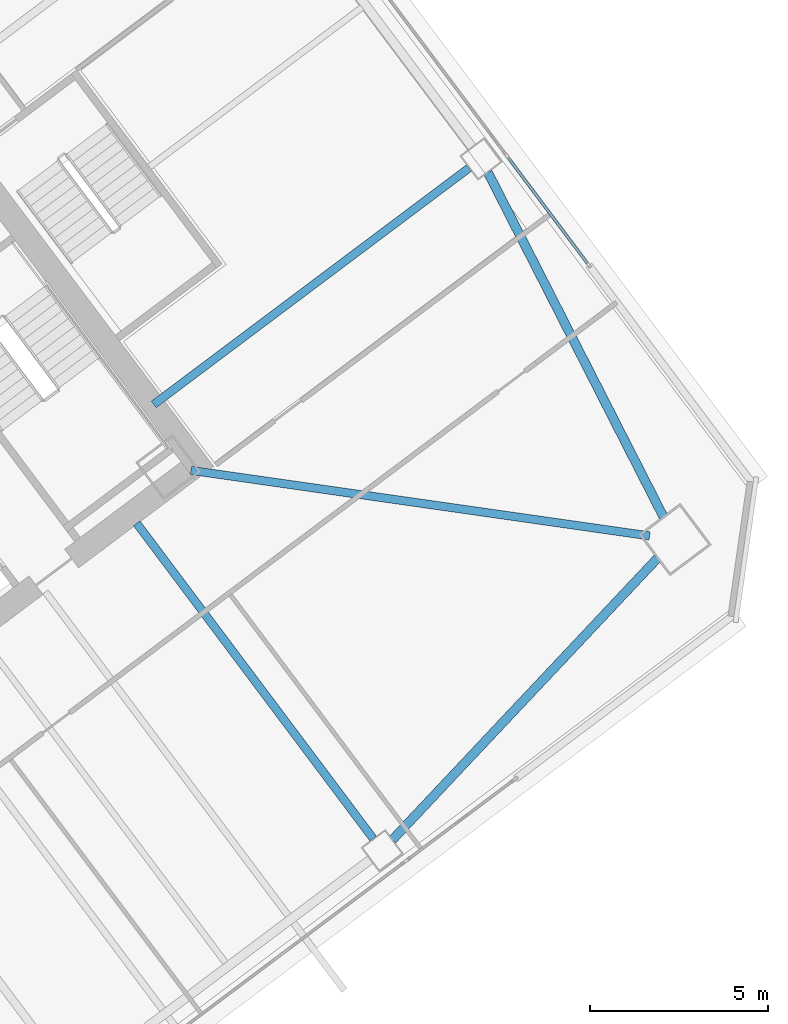
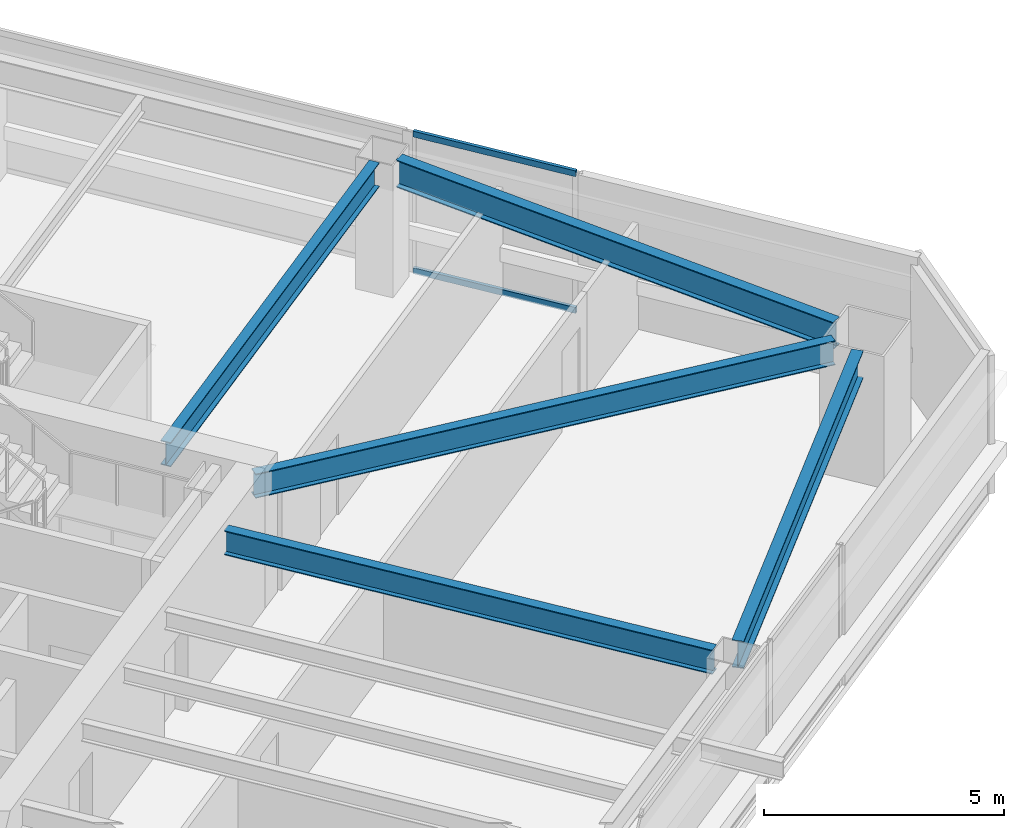
# One storey, part 25 of 44: 5 beams, 2 members, 1 element without a shape of its own.
"""IFC4 building model written with IfcOpenShell, lengths in metres."""

from ifc_helpers import new_model, si_unit, direction, frame, origin, origin_2d, place, context, subcontext, project, spatial, hollow_rectangle, i_section, extrude, material, material_profile, profile_set, type_object, element, aggregate, save


model = new_model("IFC4")

# Units and contexts
model_context = context("Model", 3, precision=1e-05, world=origin(), true_north=direction((0.0, 1.0)))
body_context = subcontext(model_context, "Body", "Model", "MODEL_VIEW")
ifc_project = project(units=[si_unit("LENGTHUNIT", "METRE"), si_unit("AREAUNIT", "SQUARE_METRE"), si_unit("VOLUMEUNIT", "CUBIC_METRE"), si_unit("PLANEANGLEUNIT", "RADIAN"), si_unit("MASSUNIT", "GRAM", prefix="KILO")], contexts=[model_context])

# Site, building, storey
site_placement = place(None, origin())
site = spatial("IfcSite", under=ifc_project, at=site_placement, CompositionType="ELEMENT")
building_placement = place(site_placement, origin())
building = spatial("IfcBuilding", under=site, at=building_placement, Name="Tashvorn Skyway Center", CompositionType="ELEMENT")
storey_placement = place(building_placement, frame((0.0, 0.0, 74.300048828125)))
storey = spatial("IfcBuildingStorey", under=building, at=storey_placement, Name="L19", CompositionType="ELEMENT", Elevation=74.300048828125)

# Beams
ifc_material_1 = material(Name="Steel ASTM A992 Grade 50", Category="steel")
ifc_material_profile_1 = material_profile(ifc_material_1, i_section(OverallWidth=0.22998046875, OverallDepth=0.616943359375, WebThickness=0.01318359375, FlangeThickness=0.022216796875, at=origin_2d()), Name="W24X94")
ifc_profile_set_1 = profile_set([ifc_material_profile_1], Name="Steel ASTM A992 Grade 50")
beam_type_1 = type_object("IfcBeamType", Name="BM-BEAM-W24X94", PredefinedType="BEAM", material=ifc_profile_set_1)
beam_1_placement = place(storey_placement, frame((137.3671875, 28.661865234375, 3.04150390625), z_axis=(-0.989949869571, 0.141418724841, 0.0), x_axis=(-0.141418724841, -0.989949869571, 0.0)))
element("IfcBeam", 1, at=beam_1_placement, inside=storey, type_object=beam_type_1, Name="Tower 2 L19 Primary Floor Girder MC-SE", PredefinedType="BEAM", context=body_context, shape_type="SweptSolid", body=[
    extrude(i_section(OverallWidth=0.22998046875, OverallDepth=0.616943359375, WebThickness=0.01318359375, FlangeThickness=0.022216796875, at=origin_2d()), origin(), (0.0, 0.0, 1.0), 12.9892578125),
])
for number, where, z_axis, x_axis, name in (
    (2, (129.617919921875, 20.176025390625, 3.04150390625), (-0.599989394744, 0.800007953832, 0.0), (-0.800007953832, -0.599989394744, 0.0), "Tower 2 L19 Primary Floor Girder FC-S2"),
    (3, (132.303955078125, 38.97802734375, 3.04150390625), (-0.799989394625, -0.60001414024, 0.0), (0.60001414024, -0.799989394625, 0.0), "Tower 2 L19 Primary Floor Girder FC-E1"),
):
    element("IfcBeam", number, at=place(storey_placement, frame(where, z_axis=z_axis, x_axis=x_axis)), inside=storey, type_object=beam_type_1, Name=name, PredefinedType="BEAM", context=body_context, shape_type="SweptSolid", body=[
        extrude(i_section(OverallWidth=0.22998046875, OverallDepth=0.616943359375, WebThickness=0.01318359375, FlangeThickness=0.022216796875, at=origin_2d()), origin(), (0.0, 0.0, 1.0), 11.050048828125),
    ])
ifc_material_profile_2 = material_profile(ifc_material_1, i_section(OverallWidth=0.256103515625, OverallDepth=0.693115234375, WebThickness=0.014404296875, FlangeThickness=0.023681640625, at=origin_2d()), Name="W27X114")
ifc_profile_set_2 = profile_set([ifc_material_profile_2], Name="Steel ASTM A992 Grade 50")
beam_type_2 = type_object("IfcBeamType", Name="BM-SPANDREL-W27X114", PredefinedType="SPANDREL", material=ifc_profile_set_2)
beam_2_placement = place(storey_placement, frame((130.157958984375, 20.145751953125, 3.00341796875), z_axis=(0.685484857238, 0.728086883893, 0.0), x_axis=(-0.728086883893, 0.685484857238, 0.0)))
element("IfcBeam", 4, at=beam_2_placement, inside=storey, type_object=beam_type_2, Name="Tower 2 L19 Spandrel Beam 03", PredefinedType="SPANDREL", context=body_context, shape_type="SweptSolid", body=[
    extrude(i_section(OverallWidth=0.256103515625, OverallDepth=0.693115234375, WebThickness=0.014404296875, FlangeThickness=0.023681640625, at=origin_2d()), origin(), (0.0, 0.0, 1.0), 10.8369140625),
])
beam_3_placement = place(storey_placement, frame((137.7529296875, 29.201416015625, 3.00341796875), z_axis=(-0.454210938961, 0.890894170442, 0.0), x_axis=(-0.890894170442, -0.454210938961, 0.0)))
element("IfcBeam", 5, at=beam_3_placement, inside=storey, type_object=beam_type_2, Name="Tower 2 L19 Spandrel Beam 04", PredefinedType="SPANDREL", context=body_context, shape_type="SweptSolid", body=[
    extrude(i_section(OverallWidth=0.256103515625, OverallDepth=0.693115234375, WebThickness=0.014404296875, FlangeThickness=0.023681640625, at=origin_2d()), origin(), (0.0, 0.0, 1.0), 10.836669921875),
])

# Curtain wall, members
ifc_material_2 = material(Name="Thermally broken bronze-anodized aluminium 6063-T6", Category="aluminium")
curtain_wall_type = type_object("IfcCurtainWallType", Name="CW-CW-Z2", PredefinedType="NOTDEFINED", material=ifc_material_2)
curtain_wall_placement = place(storey_placement, origin())
curtain_wall = element("IfcCurtainWall", 6, at=curtain_wall_placement, inside=storey, type_object=curtain_wall_type, Name="Tower 2 L19 East Unitised Curtain Wall Glazing Group 3", PredefinedType="NOTDEFINED")
ifc_material_profile_3 = material_profile(ifc_material_2, hollow_rectangle(XDim=0.080078125, YDim=0.14990234375, WallThickness=0.00439453125, at=origin_2d()), Name="ALU-TRAN-80x150")
ifc_profile_set_3 = profile_set([ifc_material_profile_3], Name="Thermally broken bronze-anodized aluminium 6063-T6")
member_type = type_object("IfcMemberType", Name="CWT-CW-Z2", PredefinedType="USERDEFINED", material=ifc_profile_set_3)
member_1_placement = place(storey_placement, frame((133.407958984375, 39.256103515625, 0.0400390625), z_axis=(0.599989385363, -0.800007960868, 0.0), x_axis=(0.800007960868, 0.599989385363, 0.0)))
member_1 = element("IfcMember", 7, at=member_1_placement, type_object=member_type, Name="CW-Z2 transom 1.1", ObjectType="TRANSOM", PredefinedType="USERDEFINED", context=body_context, shape_type="SweptSolid", body=[
    extrude(hollow_rectangle(XDim=0.080078125, YDim=0.14990234375, WallThickness=0.00439453125, at=origin_2d()), origin(), (0.0, 0.0, 1.0), 3.68017578125),
])
member_2_placement = place(storey_placement, frame((133.407958984375, 39.256103515625, 3.510009765625), z_axis=(0.599989385363, -0.800007960868, 0.0), x_axis=(0.800007960868, 0.599989385363, 0.0)))
member_2 = element("IfcMember", 8, at=member_2_placement, type_object=member_type, Name="CW-Z2 transom 1.2", ObjectType="TRANSOM", PredefinedType="USERDEFINED", context=body_context, shape_type="SweptSolid", body=[
    extrude(hollow_rectangle(XDim=0.080078125, YDim=0.14990234375, WallThickness=0.00439453125, at=origin_2d()), origin(), (0.0, 0.0, 1.0), 3.68017578125),
])
aggregate(curtain_wall, [member_1, member_2])

save(model, "model.ifc")
